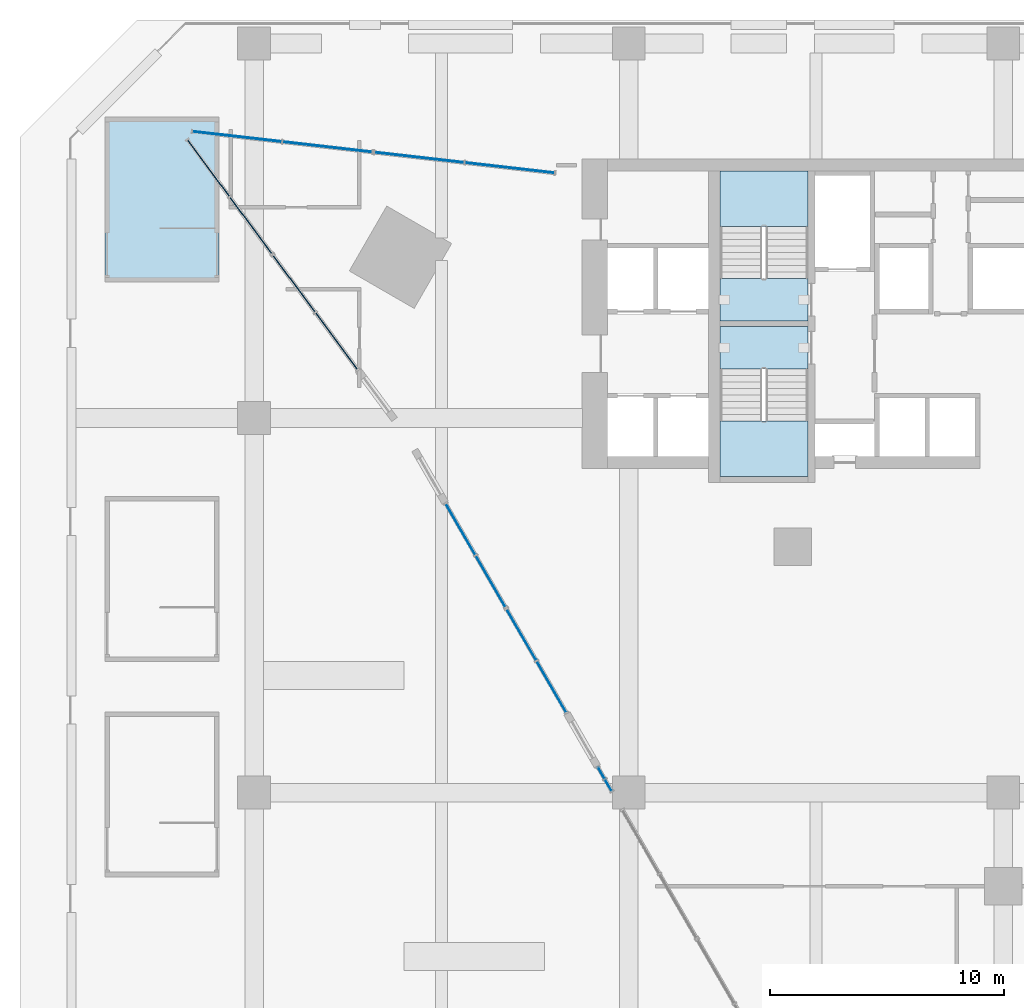
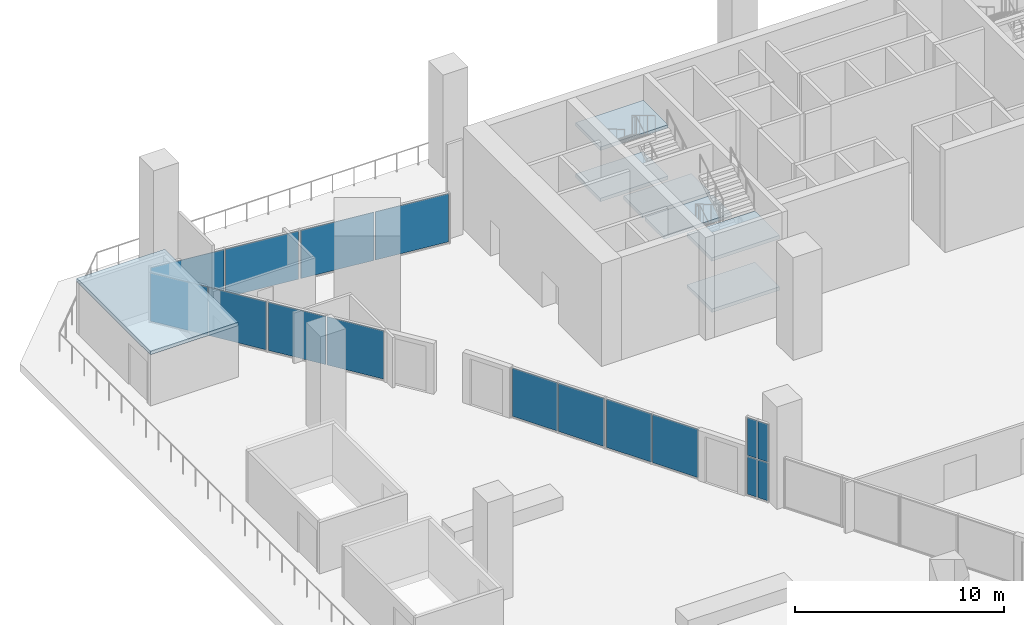
# One storey, part 15 of 25: 16 plates, 7 slabs, 9 elements without a shape of their own.
"""IFC4 building model written with IfcOpenShell, lengths in metres."""

from ifc_helpers import new_model, si_unit, direction, frame, origin, origin_2d, place, context, subcontext, project, spatial, polyline, rectangle, outline, extrude, material, layer, layer_set, type_object, element, aggregate, save


model = new_model("IFC4")

# Units and contexts
model_context = context("Model", 3, precision=1e-05, world=origin(), true_north=direction((0.0, 1.0)))
body_context = subcontext(model_context, "Body", "Model", "MODEL_VIEW")
ifc_project = project(units=[si_unit("LENGTHUNIT", "METRE"), si_unit("AREAUNIT", "SQUARE_METRE"), si_unit("VOLUMEUNIT", "CUBIC_METRE"), si_unit("PLANEANGLEUNIT", "RADIAN"), si_unit("MASSUNIT", "GRAM", prefix="KILO")], contexts=[model_context])

# Site, building, storey
site_placement = place(None, origin())
site = spatial("IfcSite", under=ifc_project, at=site_placement, CompositionType="ELEMENT")
building_placement = place(site_placement, origin())
building = spatial("IfcBuilding", under=site, at=building_placement, Name="Calabash Gate Tower", CompositionType="ELEMENT")
storey_placement = place(building_placement, frame((0.0, 0.0, 40.0)))
storey = spatial("IfcBuildingStorey", under=building, at=storey_placement, Name="L05", CompositionType="ELEMENT", Elevation=40.0)

# Curtain wall, plates
ifc_material_1 = material(Name="Anodised aluminium frame, bronze finish, clear laminated impact-rated glazing", Category="aluminium")
curtain_wall_type = type_object("IfcCurtainWallType", Name="Curtain wall CWF podium shopfront", PredefinedType="NOTDEFINED", material=ifc_material_1)
curtain_wall_1_placement = place(storey_placement, origin())
curtain_wall_1 = element("IfcCurtainWall", 1, at=curtain_wall_1_placement, inside=storey, type_object=curtain_wall_type, Name="Curtain wall CWF L05 lobby 0.0.0", PredefinedType="NOTDEFINED")
ifc_material_2 = material(Name="Clear laminated impact-rated glazing", Category="glass")
ifc_layer_1 = layer(ifc_material_2, 0.035888671875)
ifc_layer_set_1 = layer_set([ifc_layer_1], Name="Glass panel CWF 36")
plate_type = type_object("IfcPlateType", Name="Glass panel CWF 36", PredefinedType="CURTAIN_PANEL", material=ifc_layer_set_1)
plate_1_placement = place(storey_placement, frame((-23.1796875, 3.2431640625, 0.06494140625), z_axis=(0.0, 0.0, 1.0), x_axis=(0.500000020572, -0.866025391907, 0.0)))
plate_1 = element("IfcPlate", 2, at=plate_1_placement, type_object=plate_type, Name="CWF panel 1.1", PredefinedType="CURTAIN_PANEL", context=body_context, shape_type="SweptSolid", body=[
    extrude(rectangle(XDim=2.502685546875, YDim=0.035888671875, at=origin_2d()), origin(), (0.0, 0.0, 1.0), 2.820068359375),
])
plate_2_placement = place(storey_placement, frame((-21.895751953125, 1.01953125, 0.06494140625), z_axis=(0.0, 0.0, 1.0), x_axis=(0.500000020572, -0.866025391907, 0.0)))
plate_2 = element("IfcPlate", 3, at=plate_2_placement, type_object=plate_type, Name="CWF panel 2.1", PredefinedType="CURTAIN_PANEL", context=body_context, shape_type="SweptSolid", body=[
    extrude(rectangle(XDim=2.502685546875, YDim=0.035888671875, at=origin_2d()), origin(), (0.0, 0.0, 1.0), 2.820068359375),
])
aggregate(curtain_wall_1, [plate_1, plate_2])

curtain_wall_2_placement = place(storey_placement, origin())
curtain_wall_2 = element("IfcCurtainWall", 4, at=curtain_wall_2_placement, inside=storey, type_object=curtain_wall_type, Name="Curtain wall CWF L05 lobby 0.0.1", PredefinedType="NOTDEFINED")
plate_3_placement = place(storey_placement, frame((-20.57958984375, -1.26025390625, 0.06494140625), z_axis=(0.0, 0.0, 1.0), x_axis=(0.500000020572, -0.866025391907, 0.0)))
plate_3 = element("IfcPlate", 5, at=plate_3_placement, type_object=plate_type, Name="CWF panel 1.1", PredefinedType="CURTAIN_PANEL", context=body_context, shape_type="SweptSolid", body=[
    extrude(rectangle(XDim=2.502685546875, YDim=0.035888671875, at=origin_2d()), origin(), (0.0, 0.0, 1.0), 2.820068359375),
])
plate_4_placement = place(storey_placement, frame((-19.295654296875, -3.48388671875, 0.06494140625), z_axis=(0.0, 0.0, 1.0), x_axis=(0.500000020572, -0.866025391907, 0.0)))
plate_4 = element("IfcPlate", 6, at=plate_4_placement, type_object=plate_type, Name="CWF panel 2.1", PredefinedType="CURTAIN_PANEL", context=body_context, shape_type="SweptSolid", body=[
    extrude(rectangle(XDim=2.502685546875, YDim=0.035888671875, at=origin_2d()), origin(), (0.0, 0.0, 1.0), 2.820068359375),
])
aggregate(curtain_wall_2, [plate_3, plate_4])

curtain_wall_3_placement = place(storey_placement, origin())
curtain_wall_3 = element("IfcCurtainWall", 7, at=curtain_wall_3_placement, inside=storey, type_object=curtain_wall_type, Name="Curtain wall CWF L05 lobby 0.1.0", PredefinedType="NOTDEFINED")
plate_5_placement = place(storey_placement, frame((-17.17041015625, -7.164794921875, 0.06494140625), z_axis=(0.0, 0.0, 1.0), x_axis=(0.499999969332, -0.866025421491, 0.0)))
plate_5 = element("IfcPlate", 8, at=plate_5_placement, type_object=plate_type, Name="CWF panel 1.1", PredefinedType="CURTAIN_PANEL", context=body_context, shape_type="SweptSolid", body=[
    extrude(rectangle(XDim=0.5380859375, YDim=0.035888671875, at=origin_2d()), origin(), (0.0, 0.0, 1.0), 2.202392578125),
])
plate_6_placement = place(storey_placement, frame((-17.17041015625, -7.164794921875, 2.33251953125), z_axis=(0.0, 0.0, 1.0), x_axis=(0.499999969332, -0.866025421491, 0.0)))
plate_6 = element("IfcPlate", 9, at=plate_6_placement, type_object=plate_type, Name="CWF panel 1.2", PredefinedType="CURTAIN_PANEL", context=body_context, shape_type="SweptSolid", body=[
    extrude(rectangle(XDim=0.5380859375, YDim=0.035888671875, at=origin_2d()), origin(), (0.0, 0.0, 1.0), 2.202392578125),
])
plate_7_placement = place(storey_placement, frame((-16.868896484375, -7.687255859375, 0.06494140625), z_axis=(0.0, 0.0, 1.0), x_axis=(0.499999969332, -0.866025421491, 0.0)))
plate_7 = element("IfcPlate", 10, at=plate_7_placement, type_object=plate_type, Name="CWF panel 2.1", PredefinedType="CURTAIN_PANEL", context=body_context, shape_type="SweptSolid", body=[
    extrude(rectangle(XDim=0.5380859375, YDim=0.035888671875, at=origin_2d()), origin(), (0.0, 0.0, 1.0), 2.202392578125),
])
plate_8_placement = place(storey_placement, frame((-16.868896484375, -7.687255859375, 2.33251953125), z_axis=(0.0, 0.0, 1.0), x_axis=(0.499999969332, -0.866025421491, 0.0)))
plate_8 = element("IfcPlate", 11, at=plate_8_placement, type_object=plate_type, Name="CWF panel 2.2", PredefinedType="CURTAIN_PANEL", context=body_context, shape_type="SweptSolid", body=[
    extrude(rectangle(XDim=0.5380859375, YDim=0.035888671875, at=origin_2d()), origin(), (0.0, 0.0, 1.0), 2.202392578125),
])
aggregate(curtain_wall_3, [plate_5, plate_6, plate_7, plate_8])

curtain_wall_4_placement = place(storey_placement, origin())
curtain_wall_4 = element("IfcCurtainWall", 12, at=curtain_wall_4_placement, inside=storey, type_object=curtain_wall_type, Name="Curtain wall CWF L05 lobby 5.0.0", PredefinedType="NOTDEFINED")
plate_9_placement = place(storey_placement, frame((-21.0810546875, 18.68701171875, 0.06494140625), z_axis=(0.0, 0.0, 1.0), x_axis=(-0.993506314664, 0.11377698679, 0.0)))
plate_9 = element("IfcPlate", 13, at=plate_9_placement, type_object=plate_type, Name="CWF panel 1.1", PredefinedType="CURTAIN_PANEL", context=body_context, shape_type="SweptSolid", body=[
    extrude(rectangle(XDim=3.822021484375, YDim=0.035888671875, at=origin_2d()), origin(), (0.0, 0.0, 1.0), 2.820068359375),
])
plate_10_placement = place(storey_placement, frame((-24.94287109375, 19.129150390625, 0.06494140625), z_axis=(0.0, 0.0, 1.0), x_axis=(-0.993506314664, 0.11377698679, 0.0)))
plate_10 = element("IfcPlate", 14, at=plate_10_placement, type_object=plate_type, Name="CWF panel 2.1", PredefinedType="CURTAIN_PANEL", context=body_context, shape_type="SweptSolid", body=[
    extrude(rectangle(XDim=3.822021484375, YDim=0.035888671875, at=origin_2d()), origin(), (0.0, 0.0, 1.0), 2.820068359375),
])
aggregate(curtain_wall_4, [plate_9, plate_10])

curtain_wall_5_placement = place(storey_placement, origin())
curtain_wall_5 = element("IfcCurtainWall", 15, at=curtain_wall_5_placement, inside=storey, type_object=curtain_wall_type, Name="Curtain wall CWF L05 lobby 5.0.1", PredefinedType="NOTDEFINED")
plate_11_placement = place(storey_placement, frame((-28.869384765625, 19.578857421875, 0.06494140625), z_axis=(0.0, 0.0, 1.0), x_axis=(-0.993506329083, 0.113776860885, 0.0)))
plate_11 = element("IfcPlate", 16, at=plate_11_placement, type_object=plate_type, Name="CWF panel 1.1", PredefinedType="CURTAIN_PANEL", context=body_context, shape_type="SweptSolid", body=[
    extrude(rectangle(XDim=3.822021484375, YDim=0.035888671875, at=origin_2d()), origin(), (0.0, 0.0, 1.0), 2.820068359375),
])
plate_12_placement = place(storey_placement, frame((-32.731201171875, 20.021240234375, 0.06494140625), z_axis=(0.0, 0.0, 1.0), x_axis=(-0.993506329083, 0.113776860885, 0.0)))
plate_12 = element("IfcPlate", 17, at=plate_12_placement, type_object=plate_type, Name="CWF panel 2.1", PredefinedType="CURTAIN_PANEL", context=body_context, shape_type="SweptSolid", body=[
    extrude(rectangle(XDim=3.822021484375, YDim=0.035888671875, at=origin_2d()), origin(), (0.0, 0.0, 1.0), 2.820068359375),
])
aggregate(curtain_wall_5, [plate_11, plate_12])

curtain_wall_6_placement = place(storey_placement, origin())
curtain_wall_6 = element("IfcCurtainWall", 18, at=curtain_wall_6_placement, inside=storey, type_object=curtain_wall_type, Name="Curtain wall CWF L05 lobby 7.0.0", PredefinedType="NOTDEFINED")
plate_13_placement = place(storey_placement, frame((-33.954833984375, 18.67333984375, 0.06494140625), z_axis=(0.0, 0.0, 1.0), x_axis=(0.595286893099, -0.803513232563, 0.0)))
plate_13 = element("IfcPlate", 19, at=plate_13_placement, type_object=plate_type, Name="CWF panel 1.1", PredefinedType="CURTAIN_PANEL", context=body_context, shape_type="SweptSolid", body=[
    extrude(rectangle(XDim=2.98095703125, YDim=0.035888671875, at=origin_2d()), origin(), (0.0, 0.0, 1.0), 2.820068359375),
])
plate_14_placement = place(storey_placement, frame((-32.1416015625, 16.22607421875, 0.06494140625), z_axis=(0.0, 0.0, 1.0), x_axis=(0.595286893099, -0.803513232563, 0.0)))
plate_14 = element("IfcPlate", 20, at=plate_14_placement, type_object=plate_type, Name="CWF panel 2.1", PredefinedType="CURTAIN_PANEL", context=body_context, shape_type="SweptSolid", body=[
    extrude(rectangle(XDim=2.98095703125, YDim=0.035888671875, at=origin_2d()), origin(), (0.0, 0.0, 1.0), 2.820068359375),
])
aggregate(curtain_wall_6, [plate_13, plate_14])

curtain_wall_7_placement = place(storey_placement, origin())
curtain_wall_7 = element("IfcCurtainWall", 21, at=curtain_wall_7_placement, inside=storey, type_object=curtain_wall_type, Name="Curtain wall CWF L05 lobby 7.0.1", PredefinedType="NOTDEFINED")
plate_15_placement = place(storey_placement, frame((-30.28955078125, 13.726318359375, 0.06494140625), z_axis=(0.0, 0.0, 1.0), x_axis=(0.595286970792, -0.803513175004, 0.0)))
plate_15 = element("IfcPlate", 22, at=plate_15_placement, type_object=plate_type, Name="CWF panel 1.1", PredefinedType="CURTAIN_PANEL", context=body_context, shape_type="SweptSolid", body=[
    extrude(rectangle(XDim=2.98095703125, YDim=0.035888671875, at=origin_2d()), origin(), (0.0, 0.0, 1.0), 2.820068359375),
])
plate_16_placement = place(storey_placement, frame((-28.4765625, 11.27880859375, 0.06494140625), z_axis=(0.0, 0.0, 1.0), x_axis=(0.595286970792, -0.803513175004, 0.0)))
plate_16 = element("IfcPlate", 23, at=plate_16_placement, type_object=plate_type, Name="CWF panel 2.1", PredefinedType="CURTAIN_PANEL", context=body_context, shape_type="SweptSolid", body=[
    extrude(rectangle(XDim=2.98095703125, YDim=0.035888671875, at=origin_2d()), origin(), (0.0, 0.0, 1.0), 2.820068359375),
])
aggregate(curtain_wall_7, [plate_15, plate_16])

# Slab
ifc_material_3 = material(Name="Concrete C40/50", Category="concrete")
ifc_layer_2 = layer(ifc_material_3, 0.199951171875)
ifc_layer_set_2 = layer_set([ifc_layer_2], Name="Stair head house roof 200")
slab_type_1 = type_object("IfcSlabType", Name="Stair head house roof 200", PredefinedType="ROOF", material=ifc_layer_set_2)
slab_1_placement = place(storey_placement, frame((0.0, 0.0, 3.0)))
element("IfcSlab", 24, at=slab_1_placement, inside=storey, type_object=slab_type_1, Name="Head house roof PS5", PredefinedType="ROOF", context=body_context, shape_type="SweptSolid", body=[
    extrude(outline(polyline([(-33.5, 13.800048828125), (-38.3701171875, 13.800048828125), (-38.3701171875, 20.85009765625), (-33.5, 20.85009765625), (-33.5, 13.800048828125)])), origin(), (0.0, 0.0, 1.0), 0.199951171875),
])

# Stair, slabs
ifc_material_4 = material(Name="Concrete C40/50", Category="concrete")
stair_type = type_object("IfcStairType", Name="Exit stair 36 risers of 166.7 mm", PredefinedType="HALF_TURN_STAIR", material=ifc_material_4)
stair_1_placement = place(storey_placement, origin())
stair_1 = element("IfcStair", 25, at=stair_1_placement, inside=storey, type_object=stair_type, Name="L05 Exit stair ST1", PredefinedType="HALF_TURN_STAIR")
ifc_material_5 = material(Name="Concrete C40/50", Category="concrete")
ifc_layer_3 = layer(ifc_material_5, 0.199951171875)
ifc_layer_set_3 = layer_set([ifc_layer_3], Name="Stair landing SL200")
slab_type_2 = type_object("IfcSlabType", Name="Stair landing SL200", PredefinedType="LANDING", material=ifc_layer_set_3)
slab_2_placement = place(storey_placement, frame((0.0, 0.0, 1.300048828125)))
slab_2 = element("IfcSlab", 26, at=slab_2_placement, type_object=slab_type_2, Name="ST1 landing 1", PredefinedType="LANDING", context=body_context, shape_type="SweptSolid", body=[
    extrude(outline(polyline([(-8.35009765625, 16.1845703125), (-8.35009765625, 18.552490234375), (-12.10009765625, 18.552490234375), (-12.10009765625, 16.1845703125), (-8.35009765625, 16.1845703125)])), origin(), (0.0, 0.0, 1.0), 0.199951171875),
])
slab_3_placement = place(storey_placement, frame((0.0, 0.0, 2.800048828125)))
slab_3 = element("IfcSlab", 27, at=slab_3_placement, type_object=slab_type_2, Name="ST1 landing 2", PredefinedType="LANDING", context=body_context, shape_type="SweptSolid", body=[
    extrude(outline(polyline([(-8.35009765625, 12.152587890625), (-8.35009765625, 13.95263671875), (-12.10009765625, 13.95263671875), (-12.10009765625, 12.152587890625), (-8.35009765625, 12.152587890625)])), origin(), (0.0, 0.0, 1.0), 0.199951171875),
])
slab_4_placement = place(storey_placement, frame((0.0, 0.0, 4.300048828125)))
slab_4 = element("IfcSlab", 28, at=slab_4_placement, type_object=slab_type_2, Name="ST1 landing 3", PredefinedType="LANDING", context=body_context, shape_type="SweptSolid", body=[
    extrude(outline(polyline([(-8.35009765625, 16.1845703125), (-8.35009765625, 18.552490234375), (-12.10009765625, 18.552490234375), (-12.10009765625, 16.1845703125), (-8.35009765625, 16.1845703125)])), origin(), (0.0, 0.0, 1.0), 0.199951171875),
])
aggregate(stair_1, [slab_2, slab_3, slab_4])

stair_2_placement = place(storey_placement, origin())
stair_2 = element("IfcStair", 29, at=stair_2_placement, inside=storey, type_object=stair_type, Name="L05 Exit stair ST2", PredefinedType="HALF_TURN_STAIR")
slab_5_placement = place(storey_placement, frame((0.0, 0.0, 1.300048828125)))
slab_5 = element("IfcSlab", 30, at=slab_5_placement, type_object=slab_type_2, Name="ST2 landing 1", PredefinedType="LANDING", context=body_context, shape_type="SweptSolid", body=[
    extrude(outline(polyline([(-12.10009765625, 7.87060546875), (-12.10009765625, 5.502685546875), (-8.35009765625, 5.502685546875), (-8.35009765625, 7.87060546875), (-12.10009765625, 7.87060546875)])), origin(), (0.0, 0.0, 1.0), 0.199951171875),
])
slab_6_placement = place(storey_placement, frame((0.0, 0.0, 2.800048828125)))
slab_6 = element("IfcSlab", 31, at=slab_6_placement, type_object=slab_type_2, Name="ST2 landing 2", PredefinedType="LANDING", context=body_context, shape_type="SweptSolid", body=[
    extrude(outline(polyline([(-12.10009765625, 11.902587890625), (-12.10009765625, 10.1025390625), (-8.35009765625, 10.1025390625), (-8.35009765625, 11.902587890625), (-12.10009765625, 11.902587890625)])), origin(), (0.0, 0.0, 1.0), 0.199951171875),
])
slab_7_placement = place(storey_placement, frame((0.0, 0.0, 4.300048828125)))
slab_7 = element("IfcSlab", 32, at=slab_7_placement, type_object=slab_type_2, Name="ST2 landing 3", PredefinedType="LANDING", context=body_context, shape_type="SweptSolid", body=[
    extrude(outline(polyline([(-12.10009765625, 7.87060546875), (-12.10009765625, 5.502685546875), (-8.35009765625, 5.502685546875), (-8.35009765625, 7.87060546875), (-12.10009765625, 7.87060546875)])), origin(), (0.0, 0.0, 1.0), 0.199951171875),
])
aggregate(stair_2, [slab_5, slab_6, slab_7])

save(model, "model.ifc")
